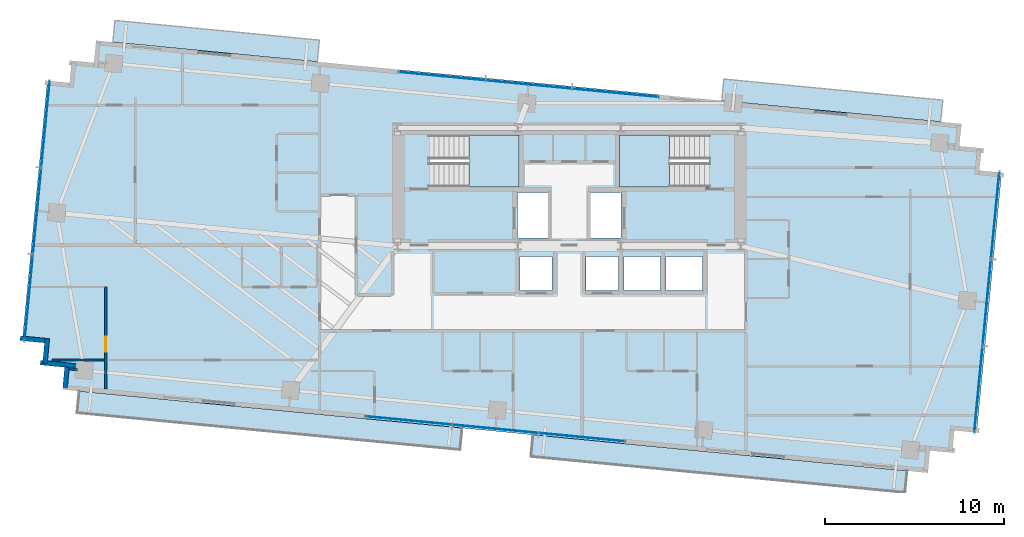
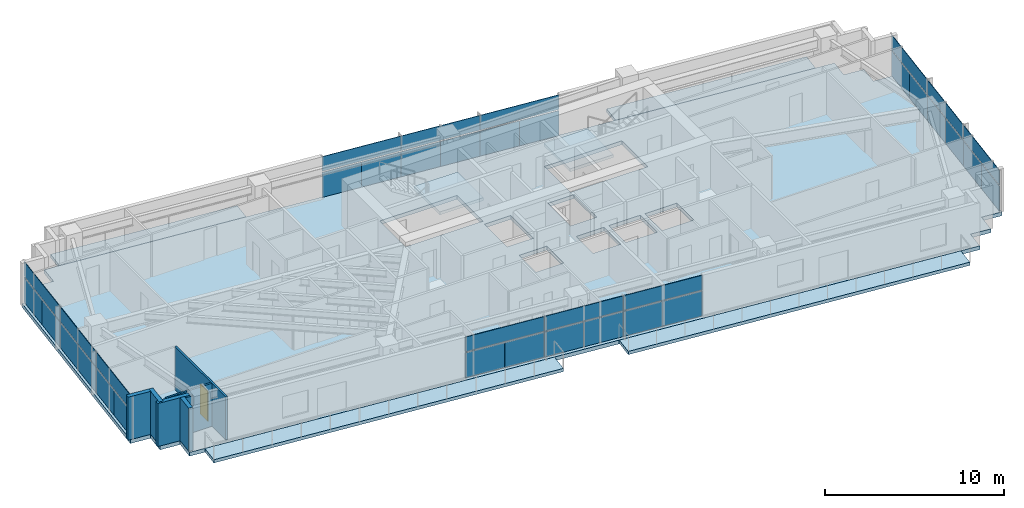
# One storey, part 14 of 20: 36 plates, 7 slabs, 7 walls, 1 door, 1 opening, 6 elements without a shape of their own.
"""IFC4 building model written with IfcOpenShell, lengths in metres."""

from ifc_helpers import new_model, si_unit, direction, frame, frame_2d, origin, origin_2d, place, context, subcontext, project, spatial, polyline, rectangle, outline, extrude, source, transform, mapped, material, layer, layer_set, type_object, type_shapes, element, fill, aggregate, save


model = new_model("IFC4")

# Units and contexts
model_context = context("Model", 3, precision=1e-05, world=origin(), true_north=direction((0.0, 1.0)))
body_context = subcontext(model_context, "Body", "Model", "MODEL_VIEW")
ifc_project = project(units=[si_unit("LENGTHUNIT", "METRE"), si_unit("AREAUNIT", "SQUARE_METRE"), si_unit("VOLUMEUNIT", "CUBIC_METRE"), si_unit("PLANEANGLEUNIT", "RADIAN"), si_unit("MASSUNIT", "GRAM", prefix="KILO")], contexts=[model_context])

# Site, building, storey
site_placement = place(None, origin())
site = spatial("IfcSite", under=ifc_project, at=site_placement, CompositionType="ELEMENT")
building_placement = place(site_placement, origin())
building = spatial("IfcBuilding", under=site, at=building_placement, Name="Astriad Promenade Condominiums", CompositionType="ELEMENT")
storey_placement = place(building_placement, frame((0.0, 0.0, 137.39990234375)))
storey = spatial("IfcBuildingStorey", under=building, at=storey_placement, Name="L39", CompositionType="ELEMENT", Elevation=137.39990234375)

# Slab
ifc_material_1 = material(Name="Concrete C50/60", Category="concrete")
ifc_layer_1 = layer(ifc_material_1, 0.260009765625)
ifc_layer_set_1 = layer_set([ifc_layer_1], Name="Concrete C50/60")
slab_type_1 = type_object("IfcSlabType", Name="CONCRETE TOWER FLOOR SLAB 260", PredefinedType="FLOOR", material=ifc_layer_set_1)
slab_1_placement = place(storey_placement, frame((0.0, 0.0, -0.260009765625)))
element("IfcSlab", 1, at=slab_1_placement, inside=storey, type_object=slab_type_1, Name="Structural Floor Slab (L39)", PredefinedType="FLOOR", context=body_context, shape_type="SweptSolid", body=[
    extrude(outline(polyline([(7.672607421875, 9.374267578125), (56.048828125, 4.716064453125), (56.168701171875, 5.960205078125), (57.412841796875, 5.840576171875), (57.53271484375, 7.084716796875), (58.77685546875, 6.96484375), (60.17626953125, 21.497802734375), (58.931884765625, 21.617431640625), (59.052001953125, 22.86181640625), (57.8076171875, 22.981689453125), (57.927490234375, 24.225830078125), (9.55126953125, 28.8837890625), (9.431396484375, 27.6396484375), (8.18701171875, 27.759521484375), (8.0673828125, 26.515380859375), (6.822998046875, 26.635009765625), (5.423583984375, 12.102294921875), (6.66796875, 11.982421875), (6.548095703125, 10.73828125), (7.79248046875, 10.618408203125), (7.672607421875, 9.374267578125)]), holes=[polyline([(28.175048828125, 20.699951171875), (33.175048828125, 20.699951171875), (33.175048828125, 23.60009765625), (28.175048828125, 23.60009765625), (28.175048828125, 20.699951171875)]), polyline([(38.824951171875, 20.699951171875), (43.824951171875, 20.699951171875), (43.824951171875, 23.60009765625), (38.824951171875, 23.60009765625), (38.824951171875, 20.699951171875)]), polyline([(33.10009765625, 17.85009765625), (34.800048828125, 17.85009765625), (34.800048828125, 20.39990234375), (33.10009765625, 20.39990234375), (33.10009765625, 17.85009765625)]), polyline([(37.199951171875, 17.85009765625), (38.89990234375, 17.85009765625), (38.89990234375, 20.39990234375), (37.199951171875, 20.39990234375), (37.199951171875, 17.85009765625)]), polyline([(33.25, 14.89990234375), (35.050048828125, 14.89990234375), (35.050048828125, 16.800048828125), (33.25, 16.800048828125), (33.25, 14.89990234375)]), polyline([(36.949951171875, 14.89990234375), (38.75, 14.89990234375), (38.75, 16.800048828125), (36.949951171875, 16.800048828125), (36.949951171875, 14.89990234375)]), polyline([(39.050048828125, 14.89990234375), (41.10009765625, 14.89990234375), (41.10009765625, 16.800048828125), (39.050048828125, 16.800048828125), (39.050048828125, 14.89990234375)]), polyline([(41.39990234375, 14.89990234375), (43.449951171875, 14.89990234375), (43.449951171875, 16.800048828125), (41.39990234375, 16.800048828125), (41.39990234375, 14.89990234375)])]), origin(), (0.0, 0.0, 1.0), 0.260009765625),
])

# Stair, slab
stair_type = type_object("IfcStairType", Name="STR-CORE-1350", PredefinedType="HALF_TURN_STAIR", material=ifc_material_1)
stair_1_placement = place(storey_placement, origin())
stair_1 = element("IfcStair", 2, at=stair_1_placement, inside=storey, type_object=stair_type, Name="L39 Enclosed Core Exit Stair ST-1", PredefinedType="HALF_TURN_STAIR")
ifc_layer_2 = layer(ifc_material_1, 0.219970703125)
ifc_layer_set_2 = layer_set([ifc_layer_2], Name="Concrete C50/60")
slab_type_2 = type_object("IfcSlabType", Name="SLB-LANDING-220", PredefinedType="LANDING", material=ifc_layer_set_2)
slab_2_placement = place(storey_placement, frame((0.0, 0.0, 1.400146484375)))
slab_2 = element("IfcSlab", 3, at=slab_2_placement, type_object=slab_type_2, Name="ST-1 landing 1", PredefinedType="LANDING", context=body_context, shape_type="SweptSolid", body=[
    extrude(outline(polyline([(30.389892578125, 20.699951171875), (33.199951171875, 20.699951171875), (33.199951171875, 23.60009765625), (30.389892578125, 23.60009765625), (30.389892578125, 20.699951171875)])), origin(), (0.0, 0.0, 1.0), 0.199951171875),
])
aggregate(stair_1, [slab_2])

stair_2_placement = place(storey_placement, origin())
stair_2 = element("IfcStair", 4, at=stair_2_placement, inside=storey, type_object=stair_type, Name="L39 Enclosed Core Exit Stair ST-2", PredefinedType="HALF_TURN_STAIR")
slab_3_placement = place(storey_placement, frame((0.0, 0.0, 1.400146484375)))
slab_3 = element("IfcSlab", 5, at=slab_3_placement, type_object=slab_type_2, Name="ST-2 landing 1", PredefinedType="LANDING", context=body_context, shape_type="SweptSolid", body=[
    extrude(outline(polyline([(41.610107421875, 23.60009765625), (38.800048828125, 23.60009765625), (38.800048828125, 20.699951171875), (41.610107421875, 20.699951171875), (41.610107421875, 23.60009765625)])), origin(), (0.0, 0.0, 1.0), 0.199951171875),
])
aggregate(stair_2, [slab_3])

# Slabs
ifc_material_2 = material(Name="Precast concrete C50/60", Category="concrete")
ifc_layer_3 = layer(ifc_material_2, 0.219970703125)
ifc_layer_set_3 = layer_set([ifc_layer_3], Name="Precast concrete C50/60")
slab_type_3 = type_object("IfcSlabType", Name="WHITE PRECAST CONCRETE WAVE BALCONY SLAB 220", PredefinedType="FLOOR", material=ifc_layer_set_3)
slab_4_placement = place(storey_placement, frame((0.0, 0.0, -0.219970703125)))
element("IfcSlab", 6, at=slab_4_placement, inside=storey, type_object=slab_type_3, Name="White Precast Wave Balcony Slab BAL-L39-SW", PredefinedType="FLOOR", context=body_context, shape_type="SweptSolid", body=[
    extrude(outline(polyline([(29.896240234375, 6.008544921875), (8.490234375, 8.06982421875), (8.607177734375, 9.2822265625), (30.01318359375, 7.220947265625), (29.896240234375, 6.008544921875)])), origin(), (0.0, 0.0, 1.0), 0.219970703125),
])
slab_5_placement = place(storey_placement, frame((0.0, 0.0, -0.219970703125)))
element("IfcSlab", 7, at=slab_5_placement, inside=storey, type_object=slab_type_3, Name="White Precast Wave Balcony Slab BAL-L39-SE", PredefinedType="FLOOR", context=body_context, shape_type="SweptSolid", body=[
    extrude(outline(polyline([(54.770263671875, 3.613525390625), (33.862060546875, 5.626708984375), (33.978759765625, 6.839111328125), (54.886962890625, 4.825927734375), (54.770263671875, 3.613525390625)])), origin(), (0.0, 0.0, 1.0), 0.219970703125),
])
slab_6_placement = place(storey_placement, frame((0.0, 0.0, -0.219970703125)))
element("IfcSlab", 8, at=slab_6_placement, inside=storey, type_object=slab_type_3, Name="White Precast Wave Balcony Slab BAL-L39-NW", PredefinedType="FLOOR", context=body_context, shape_type="SweptSolid", body=[
    extrude(outline(polyline([(10.602783203125, 30.00830078125), (22.031005859375, 28.907958984375), (21.914306640625, 27.695556640625), (10.486083984375, 28.7958984375), (10.602783203125, 30.00830078125)])), origin(), (0.0, 0.0, 1.0), 0.219970703125),
])
slab_7_placement = place(storey_placement, frame((0.0, 0.0, -0.219970703125)))
element("IfcSlab", 9, at=slab_7_placement, inside=storey, type_object=slab_type_3, Name="White Precast Wave Balcony Slab BAL-L39-NE", PredefinedType="FLOOR", context=body_context, shape_type="SweptSolid", body=[
    extrude(outline(polyline([(44.529296875, 25.515869140625), (56.765869140625, 24.337646484375), (56.8828125, 25.552001953125), (44.646240234375, 26.730224609375), (44.529296875, 25.515869140625)])), origin(), (0.0, 0.0, 1.0), 0.219970703125),
])

# Curtain wall, plates
ifc_material_3 = material(Name="Anodised aluminium Black Dark Glass Unitised", Category="aluminium")
curtain_wall_type = type_object("IfcCurtainWallType", Name="CW-B34-DARK", PredefinedType="USERDEFINED", material=ifc_material_3)
curtain_wall_1_placement = place(storey_placement, origin())
curtain_wall_1 = element("IfcCurtainWall", 10, at=curtain_wall_1_placement, inside=storey, type_object=curtain_wall_type, Name="CW-L39-W", ObjectType="UNITISED_CURTAIN_WALL", PredefinedType="USERDEFINED")
ifc_material_4 = material(Name="Dark Tinted Low-E Laminated Glass", Category="glass")
ifc_layer_4 = layer(ifc_material_4, 0.035888671875)
ifc_layer_set_4 = layer_set([ifc_layer_4], Name="Dark Tinted Low-E Laminated Glass")
plate_type = type_object("IfcPlateType", Name="PNL-DARK-GLASS-36", PredefinedType="CURTAIN_PANEL", material=ifc_layer_set_4)
shared_shape_1 = source(origin(), body_context, "Body", "SweptSolid", [
    extrude(rectangle(XDim=2.42138671875, YDim=0.035888671875, at=origin_2d()), origin(), (0.0, 0.0, 1.0), 1.702880859375),
])
plate_1_placement = place(storey_placement, frame((5.669677734375, 13.30078125, 0.080078125), z_axis=(0.0, 0.0, 1.0), x_axis=(0.09584575252, 0.995396198367, 0.0)))
plate_1 = element("IfcPlate", 11, at=plate_1_placement, type_object=plate_type, Name="CW-L39-W-PNL-00-VL", PredefinedType="CURTAIN_PANEL", context=body_context, shape_type="MappedRepresentation", body=[
    mapped(shared_shape_1, transform((0.0, 0.0, 0.0), scale=1.0)),
])
plate_2_placement = place(storey_placement, frame((5.903076171875, 15.722900390625, 0.080078125), z_axis=(0.0, 0.0, 1.0), x_axis=(0.09584575252, 0.995396198367, 0.0)))
plate_2 = element("IfcPlate", 12, at=plate_2_placement, type_object=plate_type, Name="CW-L39-W-PNL-00-VR", PredefinedType="CURTAIN_PANEL", context=body_context, shape_type="MappedRepresentation", body=[
    mapped(shared_shape_1, transform((0.0, 0.0, 0.0), scale=1.0)),
])
plate_3_placement = place(storey_placement, frame((6.13623046875, 18.145263671875, 0.080078125), z_axis=(0.0, 0.0, 1.0), x_axis=(0.09584575252, 0.995396198367, 0.0)))
plate_3 = element("IfcPlate", 13, at=plate_3_placement, type_object=plate_type, Name="CW-L39-W-PNL-01-VL", PredefinedType="CURTAIN_PANEL", context=body_context, shape_type="MappedRepresentation", body=[
    mapped(shared_shape_1, transform((0.0, 0.0, 0.0), scale=1.0)),
])
plate_4_placement = place(storey_placement, frame((6.369384765625, 20.5673828125, 0.080078125), z_axis=(0.0, 0.0, 1.0), x_axis=(0.09584575252, 0.995396198367, 0.0)))
plate_4 = element("IfcPlate", 14, at=plate_4_placement, type_object=plate_type, Name="CW-L39-W-PNL-01-VR", PredefinedType="CURTAIN_PANEL", context=body_context, shape_type="MappedRepresentation", body=[
    mapped(shared_shape_1, transform((0.0, 0.0, 0.0), scale=1.0)),
])
plate_5_placement = place(storey_placement, frame((6.6025390625, 22.989501953125, 0.080078125), z_axis=(0.0, 0.0, 1.0), x_axis=(0.09584575252, 0.995396198367, 0.0)))
plate_5 = element("IfcPlate", 15, at=plate_5_placement, type_object=plate_type, Name="CW-L39-W-PNL-02-VL", PredefinedType="CURTAIN_PANEL", context=body_context, shape_type="MappedRepresentation", body=[
    mapped(shared_shape_1, transform((0.0, 0.0, 0.0), scale=1.0)),
])
plate_6_placement = place(storey_placement, frame((6.8359375, 25.41162109375, 0.080078125), z_axis=(0.0, 0.0, 1.0), x_axis=(0.09584575252, 0.995396198367, 0.0)))
plate_6 = element("IfcPlate", 16, at=plate_6_placement, type_object=plate_type, Name="CW-L39-W-PNL-02-VR", PredefinedType="CURTAIN_PANEL", context=body_context, shape_type="MappedRepresentation", body=[
    mapped(shared_shape_1, transform((0.0, 0.0, 0.0), scale=1.0)),
])

curtain_wall_2_placement = place(storey_placement, origin())
curtain_wall_2 = element("IfcCurtainWall", 17, at=curtain_wall_2_placement, inside=storey, type_object=curtain_wall_type, Name="CW-L39-E", ObjectType="UNITISED_CURTAIN_WALL", PredefinedType="USERDEFINED")
plate_7_placement = place(storey_placement, frame((59.930419921875, 20.299072265625, 0.080078125), z_axis=(0.0, 0.0, 1.0), x_axis=(-0.09584575252, -0.995396198367, 0.0)))
plate_7 = element("IfcPlate", 18, at=plate_7_placement, type_object=plate_type, Name="CW-L39-E-PNL-00-VL", PredefinedType="CURTAIN_PANEL", context=body_context, shape_type="MappedRepresentation", body=[
    mapped(shared_shape_1, transform((0.0, 0.0, 0.0), scale=1.0)),
])
plate_8_placement = place(storey_placement, frame((59.697021484375, 17.876953125, 0.080078125), z_axis=(0.0, 0.0, 1.0), x_axis=(-0.09584575252, -0.995396198367, 0.0)))
plate_8 = element("IfcPlate", 19, at=plate_8_placement, type_object=plate_type, Name="CW-L39-E-PNL-00-VR", PredefinedType="CURTAIN_PANEL", context=body_context, shape_type="MappedRepresentation", body=[
    mapped(shared_shape_1, transform((0.0, 0.0, 0.0), scale=1.0)),
])
plate_9_placement = place(storey_placement, frame((59.4638671875, 15.454833984375, 0.080078125), z_axis=(0.0, 0.0, 1.0), x_axis=(-0.09584575252, -0.995396198367, 0.0)))
plate_9 = element("IfcPlate", 20, at=plate_9_placement, type_object=plate_type, Name="CW-L39-E-PNL-01-VL", PredefinedType="CURTAIN_PANEL", context=body_context, shape_type="MappedRepresentation", body=[
    mapped(shared_shape_1, transform((0.0, 0.0, 0.0), scale=1.0)),
])
plate_10_placement = place(storey_placement, frame((59.230712890625, 13.03271484375, 0.080078125), z_axis=(0.0, 0.0, 1.0), x_axis=(-0.09584575252, -0.995396198367, 0.0)))
plate_10 = element("IfcPlate", 21, at=plate_10_placement, type_object=plate_type, Name="CW-L39-E-PNL-01-VR", PredefinedType="CURTAIN_PANEL", context=body_context, shape_type="MappedRepresentation", body=[
    mapped(shared_shape_1, transform((0.0, 0.0, 0.0), scale=1.0)),
])
plate_11_placement = place(storey_placement, frame((58.997314453125, 10.610595703125, 0.080078125), z_axis=(0.0, 0.0, 1.0), x_axis=(-0.09584575252, -0.995396198367, 0.0)))
plate_11 = element("IfcPlate", 22, at=plate_11_placement, type_object=plate_type, Name="CW-L39-E-PNL-02-VL", PredefinedType="CURTAIN_PANEL", context=body_context, shape_type="MappedRepresentation", body=[
    mapped(shared_shape_1, transform((0.0, 0.0, 0.0), scale=1.0)),
])
plate_12_placement = place(storey_placement, frame((58.76416015625, 8.1884765625, 0.080078125), z_axis=(0.0, 0.0, 1.0), x_axis=(-0.09584575252, -0.995396198367, 0.0)))
plate_12 = element("IfcPlate", 23, at=plate_12_placement, type_object=plate_type, Name="CW-L39-E-PNL-02-VR", PredefinedType="CURTAIN_PANEL", context=body_context, shape_type="MappedRepresentation", body=[
    mapped(shared_shape_1, transform((0.0, 0.0, 0.0), scale=1.0)),
])

# Plate
shared_shape_2 = source(origin(), body_context, "Body", "SweptSolid", [
    extrude(rectangle(XDim=4.854736328125, YDim=0.035888671875, at=origin_2d()), origin(), (0.0, 0.0, 1.0), 0.997314453125),
])
plate_13_placement = place(storey_placement, frame((5.786376953125, 14.511962890625, 1.86279296875), z_axis=(0.0, 0.0, 1.0), x_axis=(0.09584575252, 0.995396198367, 0.0)))
plate_13 = element("IfcPlate", 24, at=plate_13_placement, type_object=plate_type, Name="CW-L39-W-PNL-00-S", PredefinedType="CURTAIN_PANEL", context=body_context, shape_type="MappedRepresentation", body=[
    mapped(shared_shape_2, transform((0.0, 0.0, 0.0), scale=1.0)),
])

plate_14_placement = place(storey_placement, frame((6.252685546875, 19.356201171875, 1.86279296875), z_axis=(0.0, 0.0, 1.0), x_axis=(0.09584575252, 0.995396198367, 0.0)))
plate_14 = element("IfcPlate", 25, at=plate_14_placement, type_object=plate_type, Name="CW-L39-W-PNL-01-S", PredefinedType="CURTAIN_PANEL", context=body_context, shape_type="MappedRepresentation", body=[
    mapped(shared_shape_2, transform((0.0, 0.0, 0.0), scale=1.0)),
])

plate_15_placement = place(storey_placement, frame((6.71923828125, 24.200439453125, 1.86279296875), z_axis=(0.0, 0.0, 1.0), x_axis=(0.09584575252, 0.995396198367, 0.0)))
plate_15 = element("IfcPlate", 26, at=plate_15_placement, type_object=plate_type, Name="CW-L39-W-PNL-02-S", PredefinedType="CURTAIN_PANEL", context=body_context, shape_type="MappedRepresentation", body=[
    mapped(shared_shape_2, transform((0.0, 0.0, 0.0), scale=1.0)),
])

aggregate(curtain_wall_1, [plate_1, plate_2, plate_13, plate_3, plate_4, plate_14, plate_5, plate_6, plate_15])

plate_16_placement = place(storey_placement, frame((59.813720703125, 19.088134765625, 1.86279296875), z_axis=(0.0, 0.0, 1.0), x_axis=(-0.09584575252, -0.995396198367, 0.0)))
plate_16 = element("IfcPlate", 27, at=plate_16_placement, type_object=plate_type, Name="CW-L39-E-PNL-00-S", PredefinedType="CURTAIN_PANEL", context=body_context, shape_type="MappedRepresentation", body=[
    mapped(shared_shape_2, transform((0.0, 0.0, 0.0), scale=1.0)),
])

plate_17_placement = place(storey_placement, frame((59.34716796875, 14.243896484375, 1.86279296875), z_axis=(0.0, 0.0, 1.0), x_axis=(-0.09584575252, -0.995396198367, 0.0)))
plate_17 = element("IfcPlate", 28, at=plate_17_placement, type_object=plate_type, Name="CW-L39-E-PNL-01-S", PredefinedType="CURTAIN_PANEL", context=body_context, shape_type="MappedRepresentation", body=[
    mapped(shared_shape_2, transform((0.0, 0.0, 0.0), scale=1.0)),
])

plate_18_placement = place(storey_placement, frame((58.880615234375, 9.3994140625, 1.86279296875), z_axis=(0.0, 0.0, 1.0), x_axis=(-0.09584575252, -0.995396198367, 0.0)))
plate_18 = element("IfcPlate", 29, at=plate_18_placement, type_object=plate_type, Name="CW-L39-E-PNL-02-S", PredefinedType="CURTAIN_PANEL", context=body_context, shape_type="MappedRepresentation", body=[
    mapped(shared_shape_2, transform((0.0, 0.0, 0.0), scale=1.0)),
])

aggregate(curtain_wall_2, [plate_7, plate_8, plate_16, plate_9, plate_10, plate_17, plate_11, plate_12, plate_18])

# Curtain wall, plates
curtain_wall_3_placement = place(storey_placement, origin())
curtain_wall_3 = element("IfcCurtainWall", 30, at=curtain_wall_3_placement, inside=storey, type_object=curtain_wall_type, Name="CW-L39-N", ObjectType="UNITISED_CURTAIN_WALL", PredefinedType="USERDEFINED")
shared_shape_3 = source(origin(), body_context, "Body", "SweptSolid", [
    extrude(rectangle(XDim=2.41796875, YDim=0.035888671875, at=origin_2d()), origin(), (0.0, 0.0, 1.0), 1.702880859375),
])
plate_19_placement = place(storey_placement, frame((27.6796875, 27.0078125, 0.080078125), z_axis=(0.0, 0.0, 1.0), x_axis=(0.995396198367, -0.09584575252, 0.0)))
plate_19 = element("IfcPlate", 31, at=plate_19_placement, type_object=plate_type, Name="CW-L39-N-PNL-00-VL", PredefinedType="CURTAIN_PANEL", context=body_context, shape_type="MappedRepresentation", body=[
    mapped(shared_shape_3, transform((0.0, 0.0, 0.0), scale=1.0)),
])
plate_20_placement = place(storey_placement, frame((30.0986328125, 26.77490234375, 0.080078125), z_axis=(0.0, 0.0, 1.0), x_axis=(0.995396198367, -0.09584575252, 0.0)))
plate_20 = element("IfcPlate", 32, at=plate_20_placement, type_object=plate_type, Name="CW-L39-N-PNL-00-VR", PredefinedType="CURTAIN_PANEL", context=body_context, shape_type="MappedRepresentation", body=[
    mapped(shared_shape_3, transform((0.0, 0.0, 0.0), scale=1.0)),
])
plate_21_placement = place(storey_placement, frame((32.517333984375, 26.5419921875, 0.080078125), z_axis=(0.0, 0.0, 1.0), x_axis=(0.995396198367, -0.09584575252, 0.0)))
plate_21 = element("IfcPlate", 33, at=plate_21_placement, type_object=plate_type, Name="CW-L39-N-PNL-01-VL", PredefinedType="CURTAIN_PANEL", context=body_context, shape_type="MappedRepresentation", body=[
    mapped(shared_shape_3, transform((0.0, 0.0, 0.0), scale=1.0)),
])
plate_22_placement = place(storey_placement, frame((34.936279296875, 26.30908203125, 0.080078125), z_axis=(0.0, 0.0, 1.0), x_axis=(0.995396198367, -0.09584575252, 0.0)))
plate_22 = element("IfcPlate", 34, at=plate_22_placement, type_object=plate_type, Name="CW-L39-N-PNL-01-VR", PredefinedType="CURTAIN_PANEL", context=body_context, shape_type="MappedRepresentation", body=[
    mapped(shared_shape_3, transform((0.0, 0.0, 0.0), scale=1.0)),
])
plate_23_placement = place(storey_placement, frame((37.35498046875, 26.075927734375, 0.080078125), z_axis=(0.0, 0.0, 1.0), x_axis=(0.995396198367, -0.09584575252, 0.0)))
plate_23 = element("IfcPlate", 35, at=plate_23_placement, type_object=plate_type, Name="CW-L39-N-PNL-02-VL", PredefinedType="CURTAIN_PANEL", context=body_context, shape_type="MappedRepresentation", body=[
    mapped(shared_shape_3, transform((0.0, 0.0, 0.0), scale=1.0)),
])
plate_24_placement = place(storey_placement, frame((39.77392578125, 25.84326171875, 0.080078125), z_axis=(0.0, 0.0, 1.0), x_axis=(0.995396198367, -0.09584575252, 0.0)))
plate_24 = element("IfcPlate", 36, at=plate_24_placement, type_object=plate_type, Name="CW-L39-N-PNL-02-VR", PredefinedType="CURTAIN_PANEL", context=body_context, shape_type="MappedRepresentation", body=[
    mapped(shared_shape_3, transform((0.0, 0.0, 0.0), scale=1.0)),
])

curtain_wall_4_placement = place(storey_placement, origin())
curtain_wall_4 = element("IfcCurtainWall", 37, at=curtain_wall_4_placement, inside=storey, type_object=curtain_wall_type, Name="CW-L39-S", ObjectType="UNITISED_CURTAIN_WALL", PredefinedType="USERDEFINED")
plate_25_placement = place(storey_placement, frame((37.920166015625, 6.59228515625, 0.080078125), z_axis=(0.0, 0.0, 1.0), x_axis=(-0.995396198367, 0.09584575252, 0.0)))
plate_25 = element("IfcPlate", 38, at=plate_25_placement, type_object=plate_type, Name="CW-L39-S-PNL-00-VL", PredefinedType="CURTAIN_PANEL", context=body_context, shape_type="MappedRepresentation", body=[
    mapped(shared_shape_3, transform((0.0, 0.0, 0.0), scale=1.0)),
])
plate_26_placement = place(storey_placement, frame((35.50146484375, 6.8251953125, 0.080078125), z_axis=(0.0, 0.0, 1.0), x_axis=(-0.995396198367, 0.09584575252, 0.0)))
plate_26 = element("IfcPlate", 39, at=plate_26_placement, type_object=plate_type, Name="CW-L39-S-PNL-00-VR", PredefinedType="CURTAIN_PANEL", context=body_context, shape_type="MappedRepresentation", body=[
    mapped(shared_shape_3, transform((0.0, 0.0, 0.0), scale=1.0)),
])
plate_27_placement = place(storey_placement, frame((33.08251953125, 7.05810546875, 0.080078125), z_axis=(0.0, 0.0, 1.0), x_axis=(-0.995396198367, 0.09584575252, 0.0)))
plate_27 = element("IfcPlate", 40, at=plate_27_placement, type_object=plate_type, Name="CW-L39-S-PNL-01-VL", PredefinedType="CURTAIN_PANEL", context=body_context, shape_type="MappedRepresentation", body=[
    mapped(shared_shape_3, transform((0.0, 0.0, 0.0), scale=1.0)),
])
plate_28_placement = place(storey_placement, frame((30.663818359375, 7.291015625, 0.080078125), z_axis=(0.0, 0.0, 1.0), x_axis=(-0.995396198367, 0.09584575252, 0.0)))
plate_28 = element("IfcPlate", 41, at=plate_28_placement, type_object=plate_type, Name="CW-L39-S-PNL-01-VR", PredefinedType="CURTAIN_PANEL", context=body_context, shape_type="MappedRepresentation", body=[
    mapped(shared_shape_3, transform((0.0, 0.0, 0.0), scale=1.0)),
])
plate_29_placement = place(storey_placement, frame((28.244873046875, 7.52392578125, 0.080078125), z_axis=(0.0, 0.0, 1.0), x_axis=(-0.995396198367, 0.09584575252, 0.0)))
plate_29 = element("IfcPlate", 42, at=plate_29_placement, type_object=plate_type, Name="CW-L39-S-PNL-02-VL", PredefinedType="CURTAIN_PANEL", context=body_context, shape_type="MappedRepresentation", body=[
    mapped(shared_shape_3, transform((0.0, 0.0, 0.0), scale=1.0)),
])
plate_30_placement = place(storey_placement, frame((25.826171875, 7.7568359375, 0.080078125), z_axis=(0.0, 0.0, 1.0), x_axis=(-0.995396198367, 0.09584575252, 0.0)))
plate_30 = element("IfcPlate", 43, at=plate_30_placement, type_object=plate_type, Name="CW-L39-S-PNL-02-VR", PredefinedType="CURTAIN_PANEL", context=body_context, shape_type="MappedRepresentation", body=[
    mapped(shared_shape_3, transform((0.0, 0.0, 0.0), scale=1.0)),
])

# Plate
shared_shape_4 = source(origin(), body_context, "Body", "SweptSolid", [
    extrude(rectangle(XDim=4.847900390625, YDim=0.035888671875, at=origin_2d()), origin(), (0.0, 0.0, 1.0), 0.997314453125),
])
type_shapes(plate_type, [shared_shape_1, shared_shape_2, shared_shape_3, shared_shape_4])
plate_31_placement = place(storey_placement, frame((28.88916015625, 26.891357421875, 1.86279296875), z_axis=(0.0, 0.0, 1.0), x_axis=(0.995396198367, -0.09584575252, 0.0)))
plate_31 = element("IfcPlate", 44, at=plate_31_placement, type_object=plate_type, Name="CW-L39-N-PNL-00-S", PredefinedType="CURTAIN_PANEL", context=body_context, shape_type="MappedRepresentation", body=[
    mapped(shared_shape_4, transform((0.0, 0.0, 0.0), scale=1.0)),
])

plate_32_placement = place(storey_placement, frame((33.726806640625, 26.42529296875, 1.86279296875), z_axis=(0.0, 0.0, 1.0), x_axis=(0.995396198367, -0.09584575252, 0.0)))
plate_32 = element("IfcPlate", 45, at=plate_32_placement, type_object=plate_type, Name="CW-L39-N-PNL-01-S", PredefinedType="CURTAIN_PANEL", context=body_context, shape_type="MappedRepresentation", body=[
    mapped(shared_shape_4, transform((0.0, 0.0, 0.0), scale=1.0)),
])

plate_33_placement = place(storey_placement, frame((38.564453125, 25.959716796875, 1.86279296875), z_axis=(0.0, 0.0, 1.0), x_axis=(0.995396198367, -0.09584575252, 0.0)))
plate_33 = element("IfcPlate", 46, at=plate_33_placement, type_object=plate_type, Name="CW-L39-N-PNL-02-S", PredefinedType="CURTAIN_PANEL", context=body_context, shape_type="MappedRepresentation", body=[
    mapped(shared_shape_4, transform((0.0, 0.0, 0.0), scale=1.0)),
])

aggregate(curtain_wall_3, [plate_19, plate_20, plate_31, plate_21, plate_22, plate_32, plate_23, plate_24, plate_33])

plate_34_placement = place(storey_placement, frame((36.710693359375, 6.708740234375, 1.86279296875), z_axis=(0.0, 0.0, 1.0), x_axis=(-0.995396198367, 0.09584575252, 0.0)))
plate_34 = element("IfcPlate", 47, at=plate_34_placement, type_object=plate_type, Name="CW-L39-S-PNL-00-S", PredefinedType="CURTAIN_PANEL", context=body_context, shape_type="MappedRepresentation", body=[
    mapped(shared_shape_4, transform((0.0, 0.0, 0.0), scale=1.0)),
])

plate_35_placement = place(storey_placement, frame((31.873291015625, 7.174560546875, 1.86279296875), z_axis=(0.0, 0.0, 1.0), x_axis=(-0.995396198367, 0.09584575252, 0.0)))
plate_35 = element("IfcPlate", 48, at=plate_35_placement, type_object=plate_type, Name="CW-L39-S-PNL-01-S", PredefinedType="CURTAIN_PANEL", context=body_context, shape_type="MappedRepresentation", body=[
    mapped(shared_shape_4, transform((0.0, 0.0, 0.0), scale=1.0)),
])

plate_36_placement = place(storey_placement, frame((27.035400390625, 7.640380859375, 1.86279296875), z_axis=(0.0, 0.0, 1.0), x_axis=(-0.995396198367, 0.09584575252, 0.0)))
plate_36 = element("IfcPlate", 49, at=plate_36_placement, type_object=plate_type, Name="CW-L39-S-PNL-02-S", PredefinedType="CURTAIN_PANEL", context=body_context, shape_type="MappedRepresentation", body=[
    mapped(shared_shape_4, transform((0.0, 0.0, 0.0), scale=1.0)),
])

aggregate(curtain_wall_4, [plate_25, plate_26, plate_34, plate_27, plate_28, plate_35, plate_29, plate_30, plate_36])

# Walls
ifc_layer_5 = layer(ifc_material_2, 0.260009765625)
ifc_layer_set_5 = layer_set([ifc_layer_5], Name="Precast concrete C50/60")
wall_type_1 = type_object("IfcWallType", Name="WALL-EXT-TWR-260", PredefinedType="STANDARD", material=ifc_layer_set_5)
wall_1_placement = place(storey_placement, frame((8.400146484375, 10.6904296875, 0.0), z_axis=(0.0, 0.0, 1.0), x_axis=(-0.995391147587, 0.095898192396, 0.0)))
element("IfcWall", 50, at=wall_1_placement, inside=storey, type_object=wall_type_1, Name="W-SER-L39-00", PredefinedType="STANDARD", context=body_context, shape_type="SweptSolid", body=[
    extrude(rectangle(XDim=1.97802734375, YDim=0.260009765625, at=frame_2d((0.989013671875, 0.0))), origin(), (0.0, 0.0, 1.0), 2.940185546875),
])
wall_2_placement = place(storey_placement, frame((6.6884765625, 10.840087890625, 0.0), z_axis=(0.0, 0.0, 1.0), x_axis=(0.09589913835, 0.995391056452, 0.0)))
element("IfcWall", 51, at=wall_2_placement, inside=storey, type_object=wall_type_1, Name="W-SER-L39-01", PredefinedType="STANDARD", context=body_context, shape_type="SweptSolid", body=[
    extrude(rectangle(XDim=1.39501953125, YDim=0.260009765625, at=frame_2d((0.697509765625, 0.0))), origin(), (0.0, 0.0, 1.0), 2.940185546875),
])
wall_3_placement = place(storey_placement, frame((6.6953125, 12.110595703125, 0.0), z_axis=(0.0, 0.0, 1.0), x_axis=(-0.99540614245, 0.095742423056, 0.0)))
element("IfcWall", 52, at=wall_3_placement, inside=storey, type_object=wall_type_1, Name="W-SER-L39-02", PredefinedType="STANDARD", context=body_context, shape_type="SweptSolid", body=[
    extrude(rectangle(XDim=1.394775390625, YDim=0.260009765625, at=frame_2d((0.697265625, 0.0))), origin(), (0.0, 0.0, 1.0), 2.940185546875),
])
wall_4_placement = place(storey_placement, frame((7.81298828125, 9.476318359375, 0.0), z_axis=(0.0, 0.0, 1.0), x_axis=(0.09576095695, 0.995404359607, 0.0)))
element("IfcWall", 53, at=wall_4_placement, inside=storey, type_object=wall_type_1, Name="W-SER-L39-19", PredefinedType="STANDARD", context=body_context, shape_type="SweptSolid", body=[
    extrude(rectangle(XDim=1.14990234375, YDim=0.260009765625, at=frame_2d((0.574951171875, 0.0))), origin(), (0.0, 0.0, 1.0), 2.940185546875),
])

# Wall, opening, door
ifc_material_5 = material(Name="Acoustic Metal-Stud Gypsum Partition")
ifc_layer_6 = layer(ifc_material_5, 0.1201171875)
ifc_layer_set_6 = layer_set([ifc_layer_6], Name="Acoustic Metal-Stud Gypsum Partition")
wall_type_2 = type_object("IfcWallType", Name="WALL-PART-120", PredefinedType="PARTITIONING", material=ifc_layer_set_6)
wall_5_placement = place(storey_placement, frame((10.089111328125, 9.40478515625, 0.0), z_axis=(0.0, 0.0, 1.0), x_axis=(0.0, 1.0, 0.0)))
wall_5 = element("IfcWall", 54, at=wall_5_placement, inside=storey, type_object=wall_type_2, Name="PT-L39-W1-CAP1", PredefinedType="PARTITIONING", context=body_context, shape_type="SweptSolid", body=[
    extrude(rectangle(XDim=5.6953125, YDim=0.1201171875, at=frame_2d((2.84765625, 0.0))), origin(), (0.0, 0.0, 1.0), 2.940185546875),
])
opening_placement = place(wall_5_placement, frame((2.07421875, 0.0, 0.0)))
opening = element("IfcOpeningElement", 55, at=opening_placement, cuts=wall_5, Name="Opening D-INT-085", PredefinedType="OPENING", context=body_context, shape_type="SweptSolid", body=[
    extrude(rectangle(XDim=0.85009765625, YDim=2.050048828125, at=frame_2d((0.425048828125, 1.02490234375))), frame((0.0, 0.070068359375, 0.0), z_axis=(0.0, -1.0, 0.0), x_axis=(1.0, 0.0, 0.0)), (0.0, 0.0, 1.0), 0.14013671875),
])
ifc_material_6 = material(Name="Painted Solid-Core Timber Room Door", Category="wood")
door_type = type_object("IfcDoorType", Name="D-INT-085", OperationType="NOTDEFINED", PredefinedType="DOOR", material=ifc_material_6)
shared_shape_5 = source(origin(), body_context, "Body", "SweptSolid", [
    extrude(rectangle(XDim=0.85009765625, YDim=2.050048828125, at=frame_2d((0.425048828125, 1.02490234375))), frame((0.0, 0.02490234375, 0.0), z_axis=(0.0, -1.0, 0.0), x_axis=(1.0, 0.0, 0.0)), (0.0, 0.0, 1.0), 0.050048828125),
])
type_shapes(door_type, [shared_shape_5])
door_placement = place(opening_placement, origin())
door = element("IfcDoor", 56, at=door_placement, inside=storey, type_object=door_type, Name="D-CAP1-L39-W1", OperationType="SINGLE_SWING_RIGHT", OverallHeight=2.050048828125, OverallWidth=0.85009765625, PredefinedType="DOOR", context=body_context, shape_type="MappedRepresentation", body=[
    mapped(shared_shape_5, transform((0.0, 0.0, 0.0), scale=1.0)),
])
fill(opening, door)

# Walls
wall_6_placement = place(storey_placement, frame((7.085693359375, 11.01611328125, 0.0), z_axis=(0.0, 0.0, 1.0), x_axis=(1.0, 0.0, 0.0)))
element("IfcWall", 57, at=wall_6_placement, inside=storey, type_object=wall_type_2, Name="PT-L39-W1-CAPH2", PredefinedType="PARTITIONING", context=body_context, shape_type="SweptSolid", body=[
    extrude(rectangle(XDim=2.94140625, YDim=0.1201171875, at=frame_2d((1.470703125, 0.0))), origin(), (0.0, 0.0, 1.0), 2.940185546875),
])
wall_7_placement = place(storey_placement, frame((8.502197265625, 10.479736328125, 0.0), z_axis=(0.0, 0.0, 1.0), x_axis=(-0.995384576284, 0.09596637586, 0.0)))
element("IfcWall", 58, at=wall_7_placement, inside=storey, type_object=wall_type_2, Name="PT-PIL-L39-PC01-8", PredefinedType="PARTITIONING", context=body_context, shape_type="SweptSolid", body=[
    extrude(rectangle(XDim=0.4580078125, YDim=0.1201171875, at=frame_2d((0.22900390625, 0.0))), origin(), (0.0, 0.0, 1.0), 2.940185546875),
])

save(model, "model.ifc")
